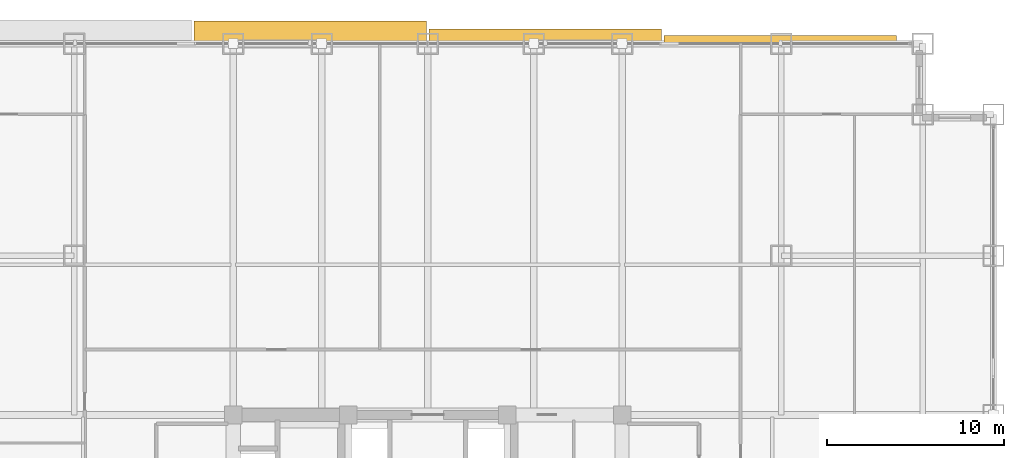
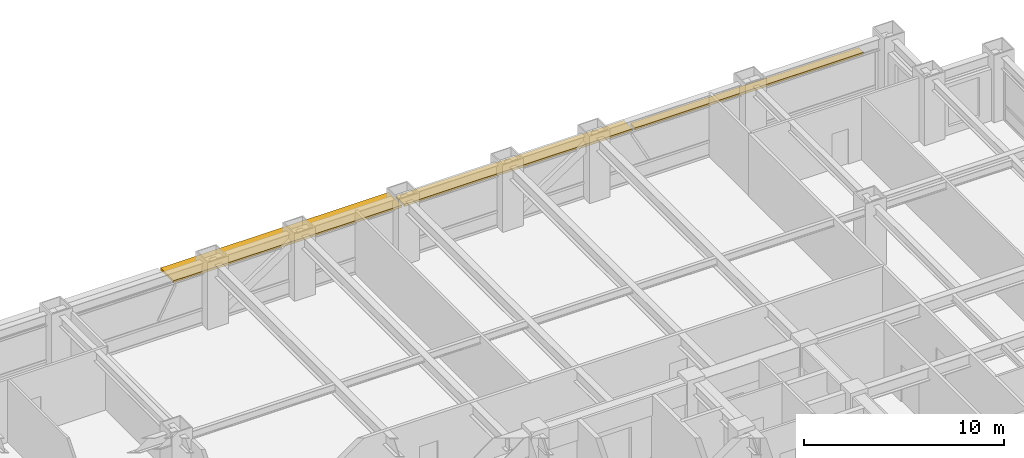
# One storey, part 32 of 32: 3 shading devices.
"""IFC4 building model written with IfcOpenShell, lengths in metres."""

from ifc_helpers import new_model, si_unit, direction, frame, origin, origin_2d, place, context, subcontext, project, spatial, rectangle, extrude, source, transform, mapped, material, layer, layer_set, type_object, element, save


model = new_model("IFC4")

# Units and contexts
model_context = context("Model", 3, precision=1e-05, world=origin(), true_north=direction((0.0, 1.0)))
body_context = subcontext(model_context, "Body", "Model", "MODEL_VIEW")
ifc_project = project(units=[si_unit("LENGTHUNIT", "METRE"), si_unit("AREAUNIT", "SQUARE_METRE"), si_unit("VOLUMEUNIT", "CUBIC_METRE"), si_unit("PLANEANGLEUNIT", "RADIAN"), si_unit("MASSUNIT", "GRAM", prefix="KILO")], contexts=[model_context])

# Site, building, storey
site_placement = place(None, origin())
site = spatial("IfcSite", under=ifc_project, at=site_placement, CompositionType="ELEMENT")
building_placement = place(site_placement, origin())
building = spatial("IfcBuilding", under=site, at=building_placement, Name="Khorayat Bourse Tower", CompositionType="ELEMENT")
storey_placement = place(building_placement, frame((0.0, 0.0, 136.5)))
storey = spatial("IfcBuildingStorey", under=building, at=storey_placement, Name="L31", CompositionType="ELEMENT", Elevation=136.5)

# Shading devices
ifc_material = material(Name="Precast concrete C45/55", Category="concrete")
ifc_layer = layer(ifc_material, 0.139892578125)
ifc_layer_set = layer_set([ifc_layer], Name="Precast concrete C45/55")
shading_device_type = type_object("IfcShadingDeviceType", Name="SHD-WAVE-TRAY-B", PredefinedType="USERDEFINED", material=ifc_layer_set)
shared_shape_1 = source(origin(), body_context, "Body", "SweptSolid", [
    extrude(rectangle(XDim=13.159912109375, YDim=1.3037109375, at=origin_2d()), origin(), (0.0, 0.0, 1.0), 0.139892578125),
])
shading_device_1_placement = place(storey_placement, frame((-6.64990234375, 32.6318359375, 3.08984375), z_axis=(0.0, 0.0, 1.0), x_axis=(1.0, 0.0, 0.0)))
element("IfcShadingDevice", 1, at=shading_device_1_placement, inside=storey, type_object=shading_device_type, Name="L31 Sinusoidal Wave Sunshade Tray N-2", ObjectType="SUNSHADE", PredefinedType="USERDEFINED", context=body_context, shape_type="MappedRepresentation", body=[
    mapped(shared_shape_1, transform((0.0, 0.0, 0.0), scale=1.0)),
])
shared_shape_2 = source(origin(), body_context, "Body", "SweptSolid", [
    extrude(rectangle(XDim=13.159912109375, YDim=0.85986328125, at=origin_2d()), origin(), (0.0, 0.0, 1.0), 0.139892578125),
])
shading_device_2_placement = place(storey_placement, frame((6.64990234375, 32.409912109375, 3.08984375), z_axis=(0.0, 0.0, 1.0), x_axis=(1.0, 0.0, 0.0)))
element("IfcShadingDevice", 2, at=shading_device_2_placement, inside=storey, type_object=shading_device_type, Name="L31 Sinusoidal Wave Sunshade Tray N-3", ObjectType="SUNSHADE", PredefinedType="USERDEFINED", context=body_context, shape_type="MappedRepresentation", body=[
    mapped(shared_shape_2, transform((0.0, 0.0, 0.0), scale=1.0)),
])
shared_shape_3 = source(origin(), body_context, "Body", "SweptSolid", [
    extrude(rectangle(XDim=13.159912109375, YDim=0.482666015625, at=origin_2d()), origin(), (0.0, 0.0, 1.0), 0.139892578125),
])
shading_device_3_placement = place(storey_placement, frame((19.949951171875, 32.221435546875, 3.08984375), z_axis=(0.0, 0.0, 1.0), x_axis=(1.0, 0.0, 0.0)))
element("IfcShadingDevice", 3, at=shading_device_3_placement, inside=storey, type_object=shading_device_type, Name="L31 Sinusoidal Wave Sunshade Tray N-4", ObjectType="SUNSHADE", PredefinedType="USERDEFINED", context=body_context, shape_type="MappedRepresentation", body=[
    mapped(shared_shape_3, transform((0.0, 0.0, 0.0), scale=1.0)),
])

save(model, "model.ifc")
